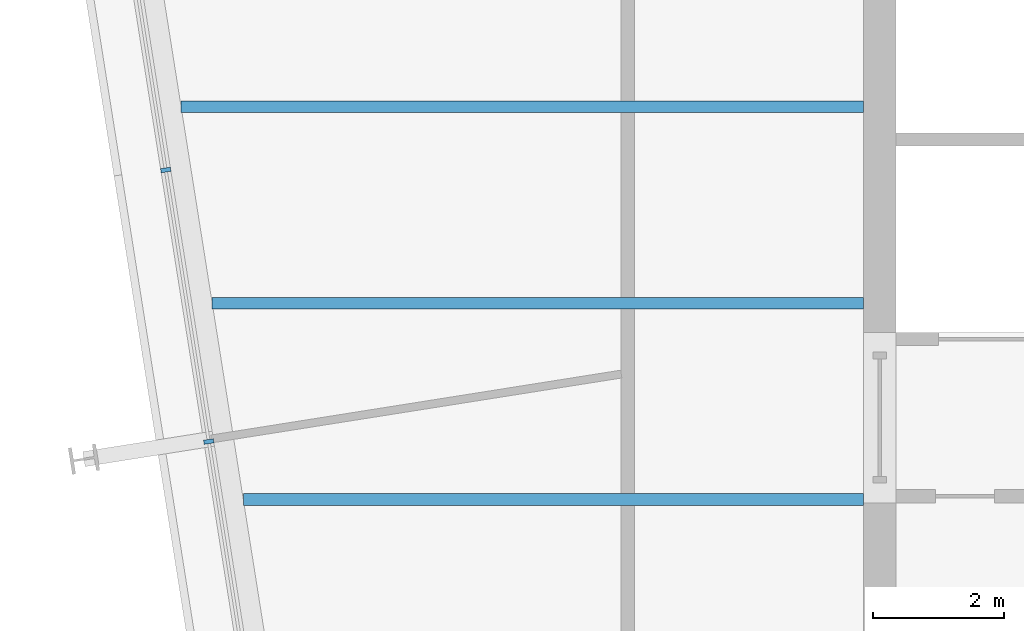
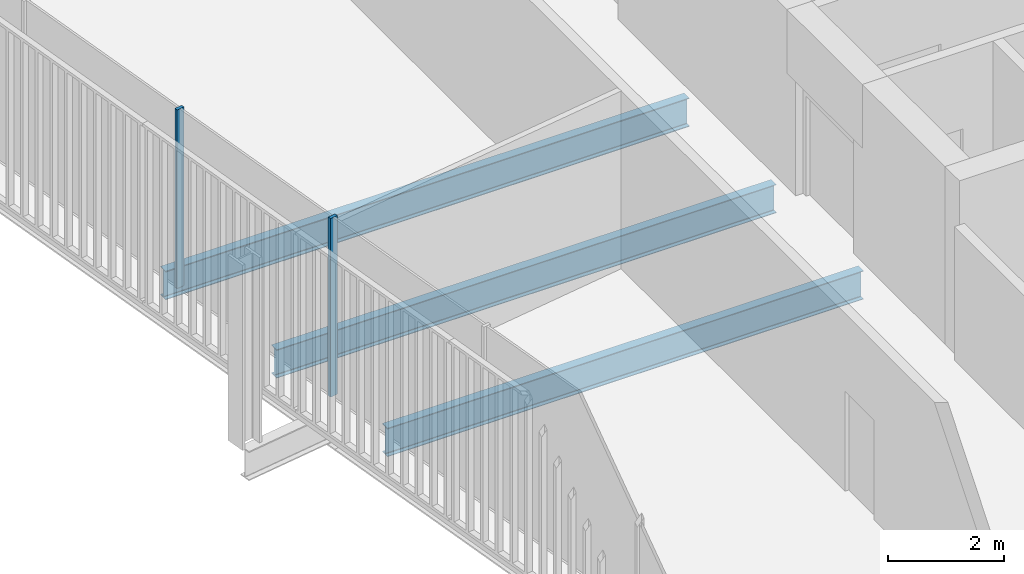
# One storey, part 4 of 20: 3 beams, 2 members, 1 element without a shape of its own.
"""IFC4 building model written with IfcOpenShell, lengths in metres."""

from ifc_helpers import new_model, si_unit, direction, frame, origin, origin_2d, place, context, subcontext, project, spatial, rectangle, i_section, extrude, material, layer, layer_set, material_profile, profile_set, type_object, element, aggregate, save


model = new_model("IFC4")

# Units and contexts
model_context = context("Model", 3, precision=1e-05, world=origin(), true_north=direction((0.0, 1.0)))
body_context = subcontext(model_context, "Body", "Model", "MODEL_VIEW")
ifc_project = project(units=[si_unit("LENGTHUNIT", "METRE"), si_unit("AREAUNIT", "SQUARE_METRE"), si_unit("VOLUMEUNIT", "CUBIC_METRE"), si_unit("PLANEANGLEUNIT", "RADIAN"), si_unit("MASSUNIT", "GRAM", prefix="KILO")], contexts=[model_context])

# Site, building, storey
site_placement = place(None, origin())
site = spatial("IfcSite", under=ifc_project, at=site_placement, CompositionType="ELEMENT")
building_placement = place(site_placement, origin())
building = spatial("IfcBuilding", under=site, at=building_placement, Name="Millrace Tower", CompositionType="ELEMENT")
storey_placement = place(building_placement, frame((0.0, 0.0, 251.300048828125)))
storey = spatial("IfcBuildingStorey", under=building, at=storey_placement, Name="L57", CompositionType="ELEMENT", Elevation=251.300048828125)

# Curtain wall, members
ifc_material_1 = material(Name="Aluminium and glass", Category="aluminium")
ifc_layer = layer(ifc_material_1, 0.14990234375)
ifc_layer_set = layer_set([ifc_layer], Name="Aluminium and glass")
curtain_wall_type = type_object("IfcCurtainWallType", Name="CW-1 office vision curtain wall", PredefinedType="NOTDEFINED", material=ifc_layer_set)
curtain_wall_placement = place(storey_placement, origin())
curtain_wall = element("IfcCurtainWall", 1, at=curtain_wall_placement, inside=storey, type_object=curtain_wall_type, Name="Curtain wall D-F08 L57", PredefinedType="NOTDEFINED")
ifc_material_2 = material(Name="Aluminium", Category="aluminium")
ifc_material_profile_1 = material_profile(ifc_material_2, rectangle(XDim=0.06494140625, YDim=0.14990234375, at=origin_2d()))
ifc_profile_set_1 = profile_set([ifc_material_profile_1], Name="Aluminium")
member_type = type_object("IfcMemberType", Name="CW-1 office vision curtain wall mullion", PredefinedType="MULLION", material=ifc_profile_set_1)
member_1_placement = place(storey_placement, frame((-25.057373046875, -0.966064453125, 0.139892578125), z_axis=(0.0, 0.0, 1.0), x_axis=(0.156434471884, -0.987688339511, 0.0)))
member_1 = element("IfcMember", 2, at=member_1_placement, type_object=member_type, Name="CW1 mullion D-F08.6", PredefinedType="MULLION", context=body_context, shape_type="SweptSolid", body=[
    extrude(rectangle(XDim=0.06494140625, YDim=0.14990234375, at=origin_2d()), origin(), (0.0, 0.0, 1.0), 3.760009765625),
])
member_2_placement = place(storey_placement, frame((-24.400390625, -5.1142578125, 0.139892578125), z_axis=(0.0, 0.0, 1.0), x_axis=(0.156434471884, -0.987688339511, 0.0)))
member_2 = element("IfcMember", 3, at=member_2_placement, type_object=member_type, Name="CW1 mullion D-F08.7", PredefinedType="MULLION", context=body_context, shape_type="SweptSolid", body=[
    extrude(rectangle(XDim=0.06494140625, YDim=0.14990234375, at=origin_2d()), origin(), (0.0, 0.0, 1.0), 3.760009765625),
])
aggregate(curtain_wall, [member_1, member_2])

# Beams
ifc_material_3 = material(Name="Steel ASTM A992 Grade 50", Category="steel")
ifc_material_profile_2 = material_profile(ifc_material_3, i_section(OverallWidth=0.177978515625, OverallDepth=0.599365234375, WebThickness=0.010009765625, FlangeThickness=0.012939453125, FilletRadius=0.012939453125, at=origin_2d()))
ifc_profile_set_2 = profile_set([ifc_material_profile_2], Name="Steel ASTM A992 Grade 50")
beam_type_1 = type_object("IfcBeamType", Name="Floor beam W24x55", PredefinedType="JOIST", material=ifc_profile_set_2)
beam_1_placement = place(storey_placement, frame((-23.872802734375, -6.0, -0.459716796875), z_axis=(1.0, 0.0, 0.0), x_axis=(0.0, 1.0, 0.0)))
element("IfcBeam", 4, at=beam_1_placement, inside=storey, type_object=beam_type_1, Name="BM-D-L57-S1-S009", PredefinedType="JOIST", context=body_context, shape_type="SweptSolid", body=[
    extrude(i_section(OverallWidth=0.177978515625, OverallDepth=0.599365234375, WebThickness=0.010009765625, FlangeThickness=0.012939453125, FilletRadius=0.012939453125, at=origin_2d()), origin(), (0.0, 0.0, 1.0), 9.472900390625),
])
beam_2_placement = place(storey_placement, frame((-24.34814453125, -3.0, -0.459716796875), z_axis=(1.0, 0.0, 0.0), x_axis=(0.0, 1.0, 0.0)))
element("IfcBeam", 5, at=beam_2_placement, inside=storey, type_object=beam_type_1, Name="BM-D-L57-S1-S012", PredefinedType="JOIST", context=body_context, shape_type="SweptSolid", body=[
    extrude(i_section(OverallWidth=0.177978515625, OverallDepth=0.599365234375, WebThickness=0.010009765625, FlangeThickness=0.012939453125, FilletRadius=0.012939453125, at=origin_2d()), origin(), (0.0, 0.0, 1.0), 9.9482421875),
])
ifc_material_4 = material(Name="Steel ASTM A992 Grade 50", Category="steel")
ifc_material_profile_3 = material_profile(ifc_material_4, i_section(OverallWidth=0.1787109375, OverallDepth=0.60205078125, WebThickness=0.010986328125, FlangeThickness=0.014892578125, FilletRadius=0.0126953125, at=origin_2d()))
ifc_profile_set_3 = profile_set([ifc_material_profile_3], Name="Steel ASTM A992 Grade 50")
beam_type_2 = type_object("IfcBeamType", Name="Floor beam W24x62", PredefinedType="JOIST", material=ifc_profile_set_3)
beam_3_placement = place(storey_placement, frame((-24.8232421875, 0.0, -0.4609375), z_axis=(1.0, 0.0, 0.0), x_axis=(0.0, 1.0, 0.0)))
element("IfcBeam", 6, at=beam_3_placement, inside=storey, type_object=beam_type_2, Name="BM-D-L57-S1-S015", PredefinedType="JOIST", context=body_context, shape_type="SweptSolid", body=[
    extrude(i_section(OverallWidth=0.1787109375, OverallDepth=0.60205078125, WebThickness=0.010986328125, FlangeThickness=0.014892578125, FilletRadius=0.0126953125, at=origin_2d()), origin(), (0.0, 0.0, 1.0), 10.42333984375),
])

save(model, "model.ifc")
